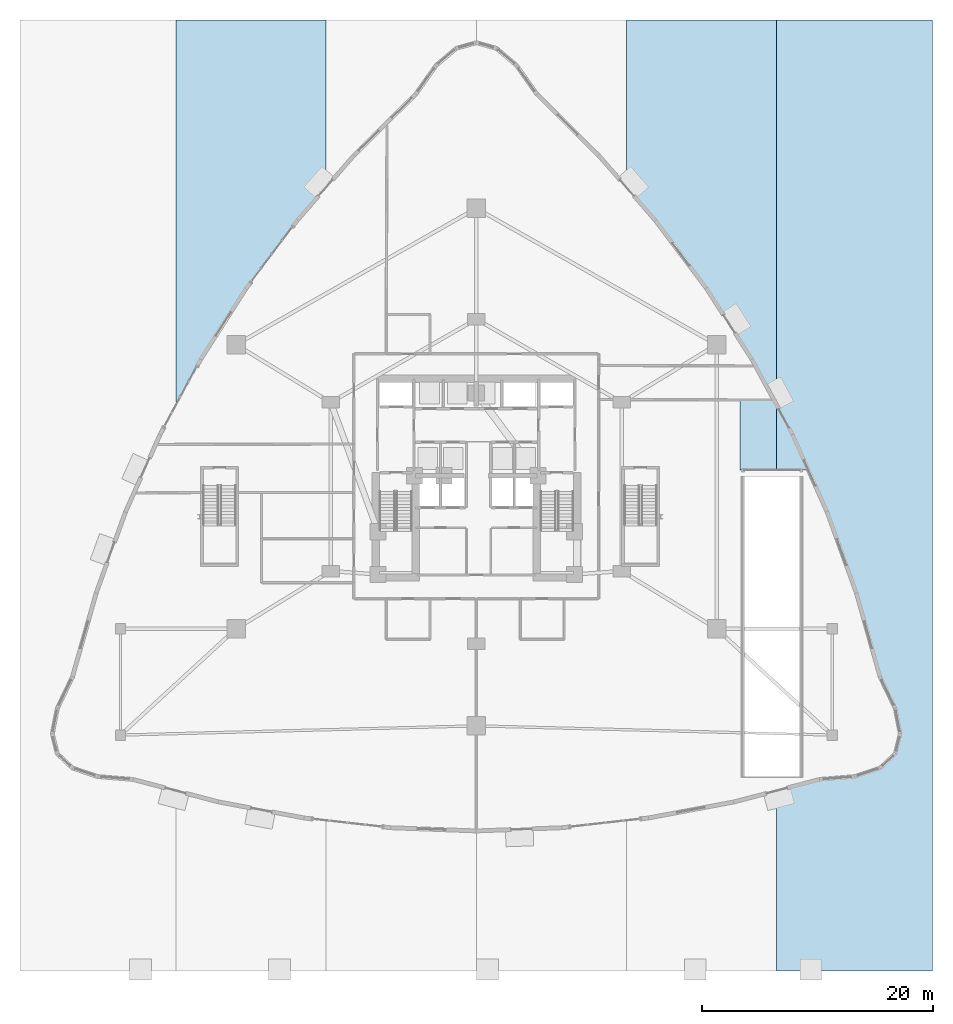
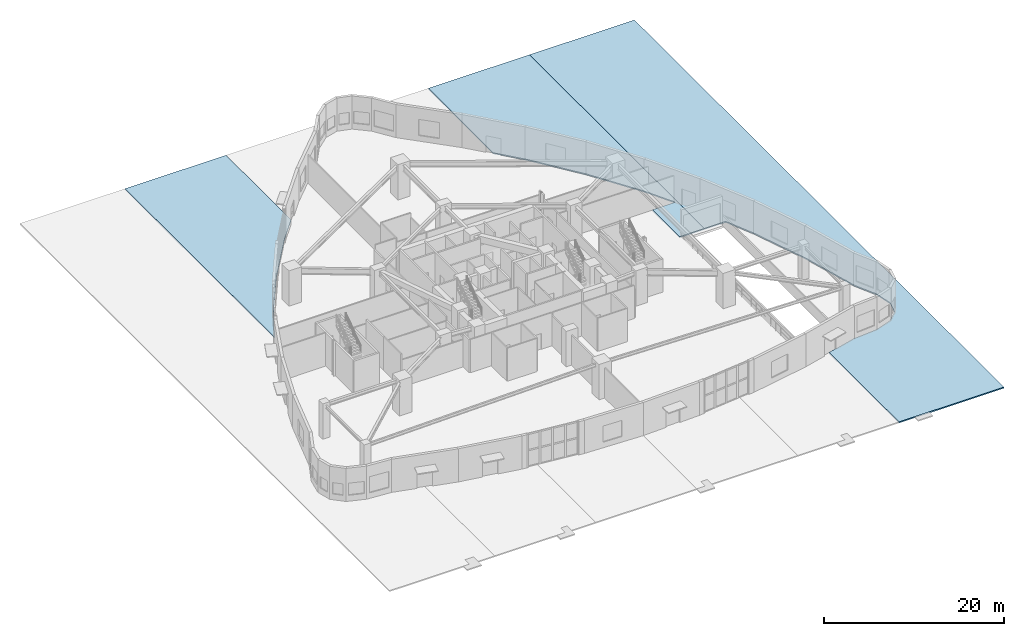
# One storey, part 20 of 32: 3 slabs.
"""IFC4 building model written with IfcOpenShell, lengths in metres."""

from ifc_helpers import new_model, si_unit, direction, frame, origin, place, context, subcontext, project, spatial, polyline, outline, extrude, material, layer, layer_set, type_object, element, save


model = new_model("IFC4")

# Units and contexts
model_context = context("Model", 3, precision=1e-05, world=origin(), true_north=direction((0.0, 1.0)))
body_context = subcontext(model_context, "Body", "Model", "MODEL_VIEW")
ifc_project = project(units=[si_unit("LENGTHUNIT", "METRE"), si_unit("AREAUNIT", "SQUARE_METRE"), si_unit("VOLUMEUNIT", "CUBIC_METRE"), si_unit("PLANEANGLEUNIT", "RADIAN"), si_unit("MASSUNIT", "GRAM", prefix="KILO")], contexts=[model_context])

# Site, building, storey
site_placement = place(None, origin())
site = spatial("IfcSite", under=ifc_project, at=site_placement, CompositionType="ELEMENT")
building_placement = place(site_placement, origin())
building = spatial("IfcBuilding", under=site, at=building_placement, Name="Miruveldt Soraemaru", CompositionType="ELEMENT")
storey_placement = place(building_placement, origin())
storey = spatial("IfcBuildingStorey", under=building, at=storey_placement, Name="L01", CompositionType="ELEMENT", Elevation=0.0)

# Slabs
ifc_material = material(Name="Precast concrete C45/55 (45 MPa)", Category="concrete")
ifc_layer = layer(ifc_material, 0.159912109375, Name="Precast concrete C45/55 (45 MPa)", Category="concrete")
ifc_layer_set = layer_set([ifc_layer], Name="Precast concrete C45/55 (45 MPa)")
slab_type = type_object("IfcSlabType", Name="SLAB-PAVE-160", PredefinedType="USERDEFINED", material=ifc_layer_set)
slab_1_placement = place(storey_placement, frame((0.0, 0.0, -0.159912109375)))
element("IfcSlab", 1, at=slab_1_placement, inside=storey, type_object=slab_type, Name="L01 Waterfront Public Plaza PAVING 2B1", ObjectType="PAVING", PredefinedType="USERDEFINED", context=body_context, shape_type="SweptSolid", body=[
    extrude(outline(polyline([(18.0, 83.5), (31.0, 83.5), (31.0, 69.0341796875), (28.49560546875, 66.165771484375), (24.068115234375, 60.27392578125), (20.1142578125, 54.103515625), (18.0, 50.186279296875), (18.0, 83.5)])), origin(), (0.0, 0.0, 1.0), 0.159912109375),
])
slab_2_placement = place(storey_placement, frame((0.0, 0.0, -0.159912109375)))
element("IfcSlab", 2, at=slab_2_placement, inside=storey, type_object=slab_type, Name="L01 Waterfront Public Plaza PAVING 5B1", ObjectType="PAVING", PredefinedType="USERDEFINED", context=body_context, shape_type="SweptSolid", body=[
    extrude(outline(polyline([(57.0, 83.5), (70.0, 83.5), (70.0, 44.56005859375), (66.81005859375, 44.56005859375), (66.81005859375, 50.590087890625), (69.765380859375, 50.590087890625), (67.885986328125, 54.102783203125), (63.93212890625, 60.2734375), (59.5048828125, 66.1650390625), (57.0, 69.0341796875), (57.0, 83.5)])), origin(), (0.0, 0.0, 1.0), 0.159912109375),
])
slab_3_placement = place(storey_placement, frame((0.0, 0.0, -0.159912109375)))
element("IfcSlab", 3, at=slab_3_placement, inside=storey, type_object=slab_type, Name="L01 Waterfront Public Plaza PAVING 6", ObjectType="PAVING", PredefinedType="USERDEFINED", context=body_context, shape_type="SweptSolid", body=[
    extrude(outline(polyline([(70.0, 83.5), (83.5, 83.5), (83.5, 1.199951171875), (70.0, 1.199951171875), (70.0, 16.77294921875), (73.737548828125, 17.754150390625), (76.783935546875, 18.000244140625), (78.962890625, 18.73974609375), (80.272705078125, 19.973388671875), (80.710693359375, 21.702392578125), (80.275390625, 23.923583984375), (78.968994140625, 26.634521484375), (76.908447265625, 33.918701171875), (74.374267578125, 40.925537109375), (72.75244140625, 44.55419921875), (70.0, 44.56005859375), (70.0, 83.5)])), origin(), (0.0, 0.0, 1.0), 0.159912109375),
])

save(model, "model.ifc")
